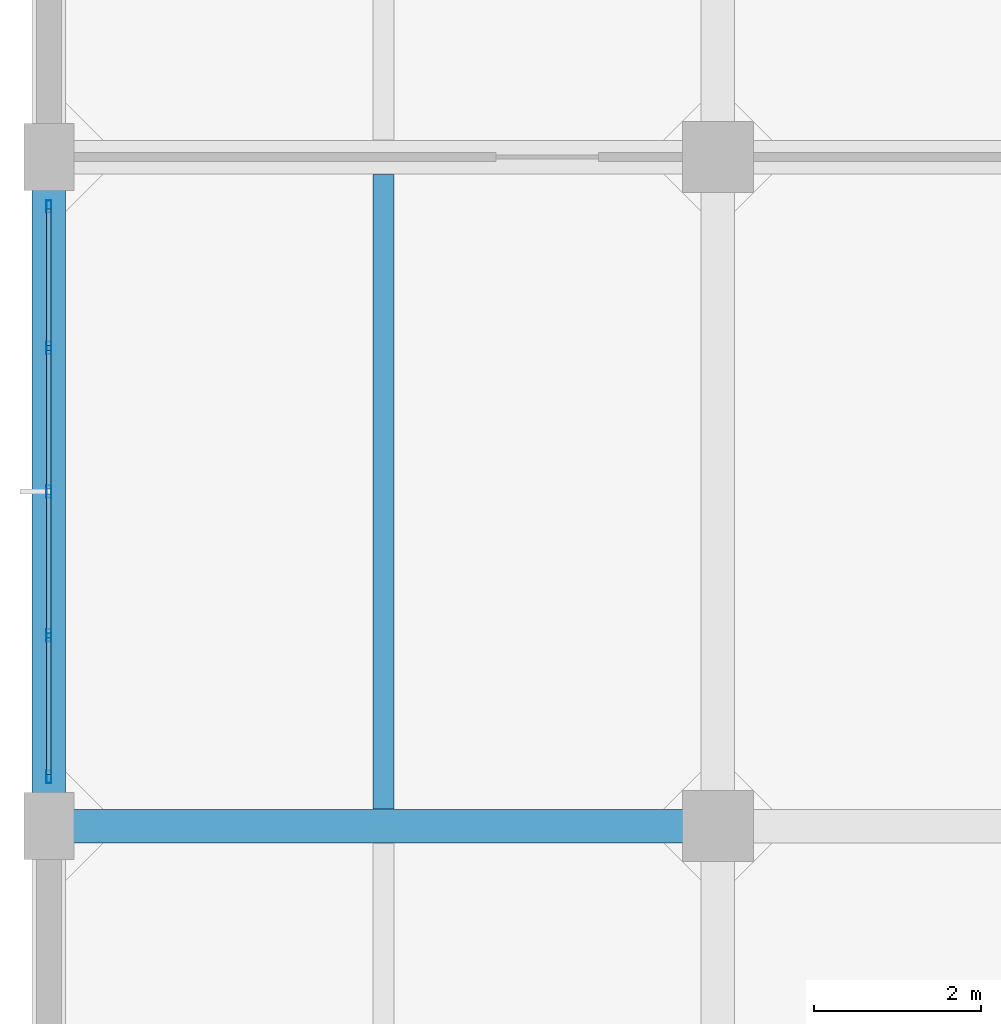
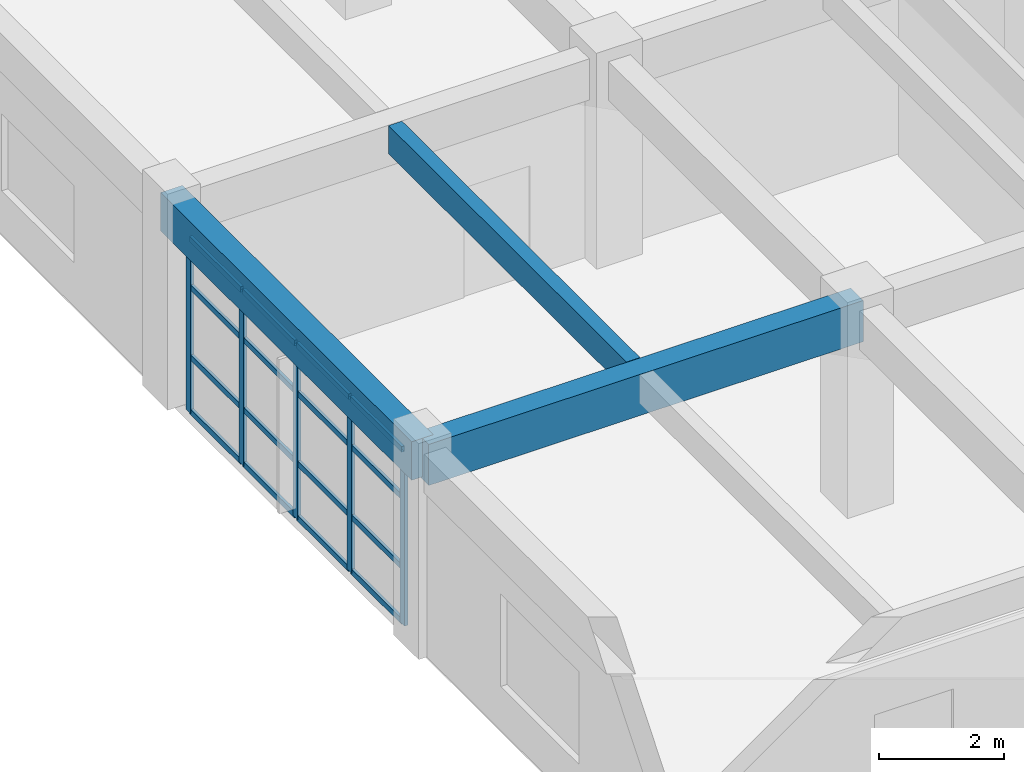
# One storey, part 7 of 27: 21 members, 3 beams, 1 element without a shape of its own.
"""IFC4 building model written with IfcOpenShell, lengths in metres."""

import ifcopenshell
import ifcopenshell.guid

model = None  # the IFC model being written
_history = None  # IfcOwnerHistory: only IFC2X3 demands one
_inside = {}  # id of a spatial element -> (the spatial element, [elements in it])
_under = {}  # id of a project, library or spatial element -> (it, [spatial elements below it])
_declared = {}  # id of a project -> (the project, [libraries it declares])
_typed = {}  # id of a type object -> (the type object, [elements of that type])
_made_of = {}  # id of a material, layer set ... -> (it, [elements and type objects made of it])


def new_model(schema):
    """Start an empty IFC model of exactly this schema.

    Asked for "IFC4X3", IfcOpenShell would pick the latest addendum, in which some entities
    have other attributes; the version numbers below select the first issue.
    IFC2X3 requires an IfcOwnerHistory on every rooted entity: one is made here for all.
    """
    global model, _history
    if schema == "IFC4X3":
        model = ifcopenshell.file(schema_version=(4, 3, 0, 0))
    else:
        model = ifcopenshell.file(schema=schema)
    _inside.clear()
    _under.clear()
    _declared.clear()
    _typed.clear()
    _made_of.clear()
    _history = None
    if model.schema == "IFC2X3":
        org = make("IfcOrganization", Name="unknown")
        user = make(
            "IfcPersonAndOrganization",
            ThePerson=make("IfcPerson", FamilyName="unknown"),
            TheOrganization=org,
        )
        app = make(
            "IfcApplication",
            ApplicationDeveloper=org,
            Version="unknown",
            ApplicationFullName="unknown",
            ApplicationIdentifier="unknown",
        )
        _history = make(
            "IfcOwnerHistory",
            OwningUser=user,
            OwningApplication=app,
            ChangeAction="ADDED",
            CreationDate=0,
        )
    return model


def make(cls, **values):
    """One entity of the class cls with the attributes given. An attribute that is None is left unset."""
    return model.create_entity(
        cls, **{name: value for name, value in values.items() if value is not None}
    )


def rooted(cls, **values):
    """An entity with a GlobalId (a new one), such as an element, a storey or a relation."""
    return make(cls, GlobalId=ifcopenshell.guid.new(), OwnerHistory=_history, **values)


def si_unit(unit_type, name, prefix=None):
    """IfcSIUnit, for example si_unit("LENGTHUNIT", "METRE", prefix="MILLI")."""
    return make("IfcSIUnit", UnitType=unit_type, Prefix=prefix, Name=name)


def assignment(units):
    """IfcUnitAssignment: the units of a project."""
    return None if units is None else make("IfcUnitAssignment", Units=units)


def point(xyz):
    """IfcCartesianPoint."""
    return None if xyz is None else make("IfcCartesianPoint", Coordinates=xyz)


def direction(xyz):
    """IfcDirection."""
    return None if xyz is None else make("IfcDirection", DirectionRatios=xyz)


def frame(location, z_axis=None, x_axis=None):
    """IfcAxis2Placement3D, a coordinate frame: its origin and axes. An axis left out is left unset."""
    return make(
        "IfcAxis2Placement3D",
        Location=point(location),
        Axis=direction(z_axis),
        RefDirection=direction(x_axis),
    )


def frame_2d(location, x_axis=None):
    """IfcAxis2Placement2D, a coordinate frame in the plane: its origin and x axis."""
    return make(
        "IfcAxis2Placement2D", Location=point(location), RefDirection=direction(x_axis)
    )


def origin():
    """The frame at (0, 0, 0) with its axes left unset."""
    return frame((0.0, 0.0, 0.0))


def origin_2d():
    """The frame at (0, 0) in the plane with its x axis left unset."""
    return frame_2d((0.0, 0.0))


def place(relative_to, where):
    """IfcLocalPlacement: puts the frame where relative to a parent placement (None: the world)."""
    return make(
        "IfcLocalPlacement", PlacementRelTo=relative_to, RelativePlacement=where
    )


def context(
    kind, dimensions, precision=None, world=None, true_north=None, identifier=None
):
    """IfcGeometricRepresentationContext, for example the 3D "Model" context."""
    return make(
        "IfcGeometricRepresentationContext",
        ContextIdentifier=identifier,
        ContextType=kind,
        CoordinateSpaceDimension=dimensions,
        Precision=precision,
        WorldCoordinateSystem=world,
        TrueNorth=true_north,
    )


def subcontext(parent, identifier, kind, view, scale=None):
    """IfcGeometricRepresentationSubContext, for example "Body" below "Model"."""
    return make(
        "IfcGeometricRepresentationSubContext",
        ContextIdentifier=identifier,
        ContextType=kind,
        ParentContext=parent,
        TargetScale=scale,
        TargetView=view,
    )


def project(units=None, contexts=None):
    """IfcProject with its units and contexts."""
    return rooted(
        "IfcProject",
        Name="project",
        RepresentationContexts=contexts,
        UnitsInContext=assignment(units),
    )


def spatial(cls, under=None, at=None, **own):
    """A site, building, storey or space (cls), placed at a placement, below another one or the project."""
    s = rooted(cls, ObjectPlacement=at, **own)
    if under is not None:
        _under.setdefault(under.id(), (under, []))[1].append(s)
    return s


def profile(cls, at=None, kind="AREA", **sizes):
    """A parametric profile (cls). Its sizes go by their IFC names, for example OverallWidth=200.0."""
    return make(cls, ProfileType=kind, Position=at, **sizes)


def rectangle(**sizes):
    """IfcRectangleProfileDef."""
    return profile("IfcRectangleProfileDef", **sizes)


def hollow_rectangle(**sizes):
    """IfcRectangleHollowProfileDef."""
    return profile("IfcRectangleHollowProfileDef", **sizes)


def extrude(swept, where, along, depth):
    """IfcExtrudedAreaSolid: the profile swept, set in the frame where, extruded along a direction by depth."""
    return make(
        "IfcExtrudedAreaSolid",
        SweptArea=swept,
        Position=where,
        ExtrudedDirection=direction(along),
        Depth=depth,
    )


def shape(context_of_items, identifier, shape_type, items):
    """IfcShapeRepresentation: the items that make up one representation, for example the "Body"."""
    return make(
        "IfcShapeRepresentation",
        ContextOfItems=context_of_items,
        RepresentationIdentifier=identifier,
        RepresentationType=shape_type,
        Items=items,
    )


def material(Name=None, Category=None):
    """IfcMaterial."""
    return make("IfcMaterial", Name=Name, Category=Category)


def layer(
    of_material, thickness, ventilated=None, Name=None, Category=None, Priority=None
):
    """IfcMaterialLayer: one layer of a wall or slab, of a material (None: an air gap)."""
    return make(
        "IfcMaterialLayer",
        Material=of_material,
        LayerThickness=thickness,
        IsVentilated=ventilated,
        Name=Name,
        Category=Category,
        Priority=Priority,
    )


def layer_set(layers, Name=None):
    """IfcMaterialLayerSet."""
    return make("IfcMaterialLayerSet", MaterialLayers=layers, LayerSetName=Name)


def material_profile(
    of_material, cross_section, Name=None, Category=None, Priority=None
):
    """IfcMaterialProfile: a cross section and its material."""
    return make(
        "IfcMaterialProfile",
        Name=Name,
        Material=of_material,
        Profile=cross_section,
        Priority=Priority,
        Category=Category,
    )


def profile_set(profiles, Name=None, composite=None):
    """IfcMaterialProfileSet."""
    return make(
        "IfcMaterialProfileSet",
        Name=Name,
        MaterialProfiles=profiles,
        CompositeProfile=composite,
    )


def made_of(thing, what):
    """Note that an element or type object is made of a material, layer set ...; save() writes the relation."""
    if what is not None:
        _made_of.setdefault(what.id(), (what, []))[1].append(thing)
    return thing


def type_object(cls, material=None, **own):
    """A type object (cls), such as IfcWallType, which elements share."""
    return made_of(rooted(cls, **own), material)


def element(
    cls,
    number,
    at=None,
    inside=None,
    cuts=None,
    type_object=None,
    material=None,
    context=None,
    identifier="Body",
    shape_type=None,
    held_by="IfcProductDefinitionShape",
    body=None,
    shapes=None,
    **own,
):
    """One element of the class cls, such as IfcWall. Its Tag is "e" and its number.

    at: its placement. inside: the storey or other place that contains it. cuts: it is an
    opening in that element (IfcRelVoidsElement). A single representation is given by context,
    identifier, shape_type and body (its items); several are given by shapes. held_by: the class
    of the entity that holds the representations. save() writes the other relations.
    """
    e = rooted(cls, Tag="e%d" % number, ObjectPlacement=at, **own)
    if body is not None:
        shapes = [shape(context, identifier, shape_type, body)]
    if shapes is not None:
        e.Representation = make(held_by, Representations=shapes)
    if inside is not None:
        _inside.setdefault(inside.id(), (inside, []))[1].append(e)
    if cuts is not None:
        rooted(
            "IfcRelVoidsElement", RelatingBuildingElement=cuts, RelatedOpeningElement=e
        )
    if type_object is not None:
        _typed.setdefault(type_object.id(), (type_object, []))[1].append(e)
    return made_of(e, material)


def aggregate(whole, parts):
    """IfcRelAggregates: a whole, such as a stair, and the parts it consists of."""
    return rooted("IfcRelAggregates", RelatingObject=whole, RelatedObjects=parts)


def save(model, path):
    """Write the relations noted so far, then the file.

    IfcRelAggregates (storeys below a building ...), IfcRelContainedInSpatialStructure (elements
    in a storey), IfcRelDefinesByType, IfcRelAssociatesMaterial and IfcRelDeclares: one each for
    every whole, place, type object, material and project.
    """
    for whole, parts in _under.values():
        aggregate(whole, parts)
    for where, things in _inside.values():
        rooted(
            "IfcRelContainedInSpatialStructure",
            RelatedElements=things,
            RelatingStructure=where,
        )
    for kind, things in _typed.values():
        rooted("IfcRelDefinesByType", RelatedObjects=things, RelatingType=kind)
    for what, things in _made_of.values():
        rooted("IfcRelAssociatesMaterial", RelatedObjects=things, RelatingMaterial=what)
    for by, libraries in _declared.values():
        rooted("IfcRelDeclares", RelatingContext=by, RelatedDefinitions=libraries)
    model.write(path)


model = new_model("IFC4")

# Units and contexts
model_context = context("Model", 3, precision=1e-05, world=origin(), true_north=direction((0.0, 1.0)))
body_context = subcontext(model_context, "Body", "Model", "MODEL_VIEW")
ifc_project = project(units=[si_unit("LENGTHUNIT", "METRE"), si_unit("AREAUNIT", "SQUARE_METRE"), si_unit("VOLUMEUNIT", "CUBIC_METRE"), si_unit("PLANEANGLEUNIT", "RADIAN"), si_unit("MASSUNIT", "GRAM", prefix="KILO")], contexts=[model_context])

# Site, building, storey
site_placement = place(None, origin())
site = spatial("IfcSite", under=ifc_project, at=site_placement, CompositionType="ELEMENT")
building_placement = place(site_placement, origin())
building = spatial("IfcBuilding", under=site, at=building_placement, Name="Canggui Botanical Conservatory", CompositionType="ELEMENT")
storey_placement = place(building_placement, frame((0.0, 0.0, 23.39990234375)))
storey = spatial("IfcBuildingStorey", under=building, at=storey_placement, Name="L06", CompositionType="ELEMENT", Elevation=23.39990234375)

# Beams
ifc_material_1 = material(Name="Concrete C35", Category="concrete")
ifc_material_profile_1 = material_profile(ifc_material_1, rectangle(XDim=0.25, YDim=0.550048828125, at=origin_2d()), Name="RB 250x550")
ifc_profile_set_1 = profile_set([ifc_material_profile_1], Name="Concrete C35")
beam_type_1 = type_object("IfcBeamType", Name="BM-JST03", PredefinedType="JOIST", material=ifc_profile_set_1)
beam_1_placement = place(storey_placement, frame((142.0, 42.205078125, 3.68505859375), z_axis=(0.0, 1.0, 0.0), x_axis=(-1.0, 0.0, 0.0)))
element("IfcBeam", 1, at=beam_1_placement, inside=storey, type_object=beam_type_1, Name="Secondary Floor Joist L06-1-2", PredefinedType="JOIST", context=body_context, shape_type="SweptSolid", body=[
    extrude(rectangle(XDim=0.25, YDim=0.550048828125, at=origin_2d()), origin(), (0.0, 0.0, 1.0), 7.58984375),
])
ifc_material_profile_2 = material_profile(ifc_material_1, rectangle(XDim=0.39990234375, YDim=0.800048828125, at=origin_2d()), Name="RB 400x800")
ifc_profile_set_2 = profile_set([ifc_material_profile_2], Name="Concrete C35")
beam_type_2 = type_object("IfcBeamType", Name="BM-KL09", PredefinedType="BEAM", material=ifc_profile_set_2)
beam_2_placement = place(storey_placement, frame((138.0, 42.0, 3.56005859375), z_axis=(1.0, 0.0, 0.0), x_axis=(0.0, 1.0, 0.0)))
element("IfcBeam", 2, at=beam_2_placement, inside=storey, type_object=beam_type_2, Name="Frame Girder L06 Y42-1", PredefinedType="BEAM", context=body_context, shape_type="SweptSolid", body=[
    extrude(rectangle(XDim=0.39990234375, YDim=0.800048828125, at=origin_2d()), origin(), (0.0, 0.0, 1.0), 8.0),
])
ifc_material_profile_3 = material_profile(ifc_material_1, rectangle(XDim=0.39990234375, YDim=0.75, at=origin_2d()), Name="RB 400x750")
ifc_profile_set_3 = profile_set([ifc_material_profile_3], Name="Concrete C35")
beam_type_3 = type_object("IfcBeamType", Name="BM-KL10", PredefinedType="BEAM", material=ifc_profile_set_3)
beam_3_placement = place(storey_placement, frame((138.0, 42.0, 3.585205078125), z_axis=(0.0, 1.0, 0.0), x_axis=(-1.0, 0.0, 0.0)))
element("IfcBeam", 3, at=beam_3_placement, inside=storey, type_object=beam_type_3, Name="Frame Girder L06 X138-2", PredefinedType="BEAM", context=body_context, shape_type="SweptSolid", body=[
    extrude(rectangle(XDim=0.39990234375, YDim=0.75, at=origin_2d()), origin(), (0.0, 0.0, 1.0), 8.0),
])

# Curtain wall, members
ifc_material_2 = material(Name="Thermally Broken Aluminium", Category="aluminium")
ifc_layer = layer(ifc_material_2, 0.14990234375, Name="Thermally Broken Aluminium", Category="aluminium")
ifc_layer_set = layer_set([ifc_layer], Name="Thermally Broken Aluminium")
curtain_wall_type = type_object("IfcCurtainWallType", Name="CW-UNIT-C", PredefinedType="USERDEFINED", material=ifc_layer_set)
curtain_wall_placement = place(storey_placement, origin())
curtain_wall = element("IfcCurtainWall", 4, at=curtain_wall_placement, inside=storey, type_object=curtain_wall_type, Name="Facade Curtain Wall CW-TWR-L06-08", ObjectType="UNITISED CURTAIN WALL", PredefinedType="USERDEFINED")
ifc_material_profile_4 = material_profile(ifc_material_2, hollow_rectangle(XDim=0.06005859375, YDim=0.14990234375, WallThickness=0.00341796875, at=origin_2d()), Name="CWM 60x150x3.5")
ifc_profile_set_4 = profile_set([ifc_material_profile_4], Name="Thermally Broken Aluminium")
member_type_1 = type_object("IfcMemberType", Name="CWM-03", PredefinedType="MULLION", material=ifc_profile_set_4)
member_1_placement = place(storey_placement, frame((138.0, 42.590087890625, 0.0), z_axis=(0.0, 0.0, 1.0), x_axis=(-1.0, 0.0, 0.0)))
member_1 = element("IfcMember", 5, at=member_1_placement, type_object=member_type_1, Name="CW-03 mullion 1", PredefinedType="MULLION", context=body_context, shape_type="SweptSolid", body=[
    extrude(hollow_rectangle(XDim=0.06005859375, YDim=0.14990234375, WallThickness=0.00341796875, at=origin_2d()), origin(), (0.0, 0.0, 1.0), 3.400146484375),
])
member_2_placement = place(storey_placement, frame((138.0, 44.280029296875, 0.0), z_axis=(0.0, 0.0, 1.0), x_axis=(-1.0, 0.0, 0.0)))
member_2 = element("IfcMember", 6, at=member_2_placement, type_object=member_type_1, Name="CW-03 mullion 2", PredefinedType="MULLION", context=body_context, shape_type="SweptSolid", body=[
    extrude(hollow_rectangle(XDim=0.06005859375, YDim=0.14990234375, WallThickness=0.00341796875, at=origin_2d()), origin(), (0.0, 0.0, 1.0), 3.400146484375),
])
member_3_placement = place(storey_placement, frame((138.0, 46.0, 0.0), z_axis=(0.0, 0.0, 1.0), x_axis=(-1.0, 0.0, 0.0)))
member_3 = element("IfcMember", 7, at=member_3_placement, type_object=member_type_1, Name="CW-03 mullion 3", PredefinedType="MULLION", context=body_context, shape_type="SweptSolid", body=[
    extrude(hollow_rectangle(XDim=0.06005859375, YDim=0.14990234375, WallThickness=0.00341796875, at=origin_2d()), origin(), (0.0, 0.0, 1.0), 3.400146484375),
])
member_4_placement = place(storey_placement, frame((138.0, 47.719970703125, 0.0), z_axis=(0.0, 0.0, 1.0), x_axis=(-1.0, 0.0, 0.0)))
member_4 = element("IfcMember", 8, at=member_4_placement, type_object=member_type_1, Name="CW-03 mullion 4", PredefinedType="MULLION", context=body_context, shape_type="SweptSolid", body=[
    extrude(hollow_rectangle(XDim=0.06005859375, YDim=0.14990234375, WallThickness=0.00341796875, at=origin_2d()), origin(), (0.0, 0.0, 1.0), 3.400146484375),
])
member_5_placement = place(storey_placement, frame((138.0, 49.409912109375, 0.0), z_axis=(0.0, 0.0, 1.0), x_axis=(-1.0, 0.0, 0.0)))
member_5 = element("IfcMember", 9, at=member_5_placement, type_object=member_type_1, Name="CW-03 mullion 5", PredefinedType="MULLION", context=body_context, shape_type="SweptSolid", body=[
    extrude(hollow_rectangle(XDim=0.06005859375, YDim=0.14990234375, WallThickness=0.00341796875, at=origin_2d()), origin(), (0.0, 0.0, 1.0), 3.400146484375),
])
ifc_material_profile_5 = material_profile(ifc_material_2, hollow_rectangle(XDim=0.054931640625, YDim=0.110107421875, WallThickness=0.0029296875, at=origin_2d()), Name="CWT 55x110x3")
ifc_profile_set_5 = profile_set([ifc_material_profile_5], Name="Thermally Broken Aluminium")
member_type_2 = type_object("IfcMemberType", Name="CWT-03", PredefinedType="USERDEFINED", material=ifc_profile_set_5)
member_6_placement = place(storey_placement, frame((138.0, 42.6201171875, 0.027587890625), z_axis=(0.0, 1.0, 0.0), x_axis=(-1.0, 0.0, 0.0)))
member_6 = element("IfcMember", 10, at=member_6_placement, type_object=member_type_2, Name="CW-03 transom 1.1", ObjectType="TRANSOM", PredefinedType="USERDEFINED", context=body_context, shape_type="SweptSolid", body=[
    extrude(hollow_rectangle(XDim=0.054931640625, YDim=0.110107421875, WallThickness=0.0029296875, at=origin_2d()), origin(), (0.0, 0.0, 1.0), 1.6298828125),
])
member_7_placement = place(storey_placement, frame((138.0, 42.6201171875, 1.088134765625), z_axis=(0.0, 1.0, 0.0), x_axis=(-1.0, 0.0, 0.0)))
member_7 = element("IfcMember", 11, at=member_7_placement, type_object=member_type_2, Name="CW-03 transom 1.2", ObjectType="TRANSOM", PredefinedType="USERDEFINED", context=body_context, shape_type="SweptSolid", body=[
    extrude(hollow_rectangle(XDim=0.054931640625, YDim=0.110107421875, WallThickness=0.0029296875, at=origin_2d()), origin(), (0.0, 0.0, 1.0), 1.6298828125),
])
member_8_placement = place(storey_placement, frame((138.0, 42.6201171875, 2.447998046875), z_axis=(0.0, 1.0, 0.0), x_axis=(-1.0, 0.0, 0.0)))
member_8 = element("IfcMember", 12, at=member_8_placement, type_object=member_type_2, Name="CW-03 transom 1.3", ObjectType="TRANSOM", PredefinedType="USERDEFINED", context=body_context, shape_type="SweptSolid", body=[
    extrude(hollow_rectangle(XDim=0.054931640625, YDim=0.110107421875, WallThickness=0.0029296875, at=origin_2d()), origin(), (0.0, 0.0, 1.0), 1.6298828125),
])
member_9_placement = place(storey_placement, frame((138.0, 42.6201171875, 3.37255859375), z_axis=(0.0, 1.0, 0.0), x_axis=(-1.0, 0.0, 0.0)))
member_9 = element("IfcMember", 13, at=member_9_placement, type_object=member_type_2, Name="CW-03 transom 1.4", ObjectType="TRANSOM", PredefinedType="USERDEFINED", context=body_context, shape_type="SweptSolid", body=[
    extrude(hollow_rectangle(XDim=0.054931640625, YDim=0.110107421875, WallThickness=0.0029296875, at=origin_2d()), origin(), (0.0, 0.0, 1.0), 1.6298828125),
])
member_10_placement = place(storey_placement, frame((138.0, 44.31005859375, 0.027587890625), z_axis=(0.0, 1.0, 0.0), x_axis=(-1.0, 0.0, 0.0)))
member_10 = element("IfcMember", 14, at=member_10_placement, type_object=member_type_2, Name="CW-03 transom 2.1", ObjectType="TRANSOM", PredefinedType="USERDEFINED", context=body_context, shape_type="SweptSolid", body=[
    extrude(hollow_rectangle(XDim=0.054931640625, YDim=0.110107421875, WallThickness=0.0029296875, at=origin_2d()), origin(), (0.0, 0.0, 1.0), 1.659912109375),
])
member_11_placement = place(storey_placement, frame((138.0, 44.31005859375, 1.088134765625), z_axis=(0.0, 1.0, 0.0), x_axis=(-1.0, 0.0, 0.0)))
member_11 = element("IfcMember", 15, at=member_11_placement, type_object=member_type_2, Name="CW-03 transom 2.2", ObjectType="TRANSOM", PredefinedType="USERDEFINED", context=body_context, shape_type="SweptSolid", body=[
    extrude(hollow_rectangle(XDim=0.054931640625, YDim=0.110107421875, WallThickness=0.0029296875, at=origin_2d()), origin(), (0.0, 0.0, 1.0), 1.659912109375),
])
member_12_placement = place(storey_placement, frame((138.0, 44.31005859375, 2.447998046875), z_axis=(0.0, 1.0, 0.0), x_axis=(-1.0, 0.0, 0.0)))
member_12 = element("IfcMember", 16, at=member_12_placement, type_object=member_type_2, Name="CW-03 transom 2.3", ObjectType="TRANSOM", PredefinedType="USERDEFINED", context=body_context, shape_type="SweptSolid", body=[
    extrude(hollow_rectangle(XDim=0.054931640625, YDim=0.110107421875, WallThickness=0.0029296875, at=origin_2d()), origin(), (0.0, 0.0, 1.0), 1.659912109375),
])
member_13_placement = place(storey_placement, frame((138.0, 44.31005859375, 3.37255859375), z_axis=(0.0, 1.0, 0.0), x_axis=(-1.0, 0.0, 0.0)))
member_13 = element("IfcMember", 17, at=member_13_placement, type_object=member_type_2, Name="CW-03 transom 2.4", ObjectType="TRANSOM", PredefinedType="USERDEFINED", context=body_context, shape_type="SweptSolid", body=[
    extrude(hollow_rectangle(XDim=0.054931640625, YDim=0.110107421875, WallThickness=0.0029296875, at=origin_2d()), origin(), (0.0, 0.0, 1.0), 1.659912109375),
])
member_14_placement = place(storey_placement, frame((138.0, 46.030029296875, 0.027587890625), z_axis=(0.0, 1.0, 0.0), x_axis=(-1.0, 0.0, 0.0)))
member_14 = element("IfcMember", 18, at=member_14_placement, type_object=member_type_2, Name="CW-03 transom 3.1", ObjectType="TRANSOM", PredefinedType="USERDEFINED", context=body_context, shape_type="SweptSolid", body=[
    extrude(hollow_rectangle(XDim=0.054931640625, YDim=0.110107421875, WallThickness=0.0029296875, at=origin_2d()), origin(), (0.0, 0.0, 1.0), 1.659912109375),
])
member_15_placement = place(storey_placement, frame((138.0, 46.030029296875, 1.088134765625), z_axis=(0.0, 1.0, 0.0), x_axis=(-1.0, 0.0, 0.0)))
member_15 = element("IfcMember", 19, at=member_15_placement, type_object=member_type_2, Name="CW-03 transom 3.2", ObjectType="TRANSOM", PredefinedType="USERDEFINED", context=body_context, shape_type="SweptSolid", body=[
    extrude(hollow_rectangle(XDim=0.054931640625, YDim=0.110107421875, WallThickness=0.0029296875, at=origin_2d()), origin(), (0.0, 0.0, 1.0), 1.659912109375),
])
member_16_placement = place(storey_placement, frame((138.0, 46.030029296875, 2.447998046875), z_axis=(0.0, 1.0, 0.0), x_axis=(-1.0, 0.0, 0.0)))
member_16 = element("IfcMember", 20, at=member_16_placement, type_object=member_type_2, Name="CW-03 transom 3.3", ObjectType="TRANSOM", PredefinedType="USERDEFINED", context=body_context, shape_type="SweptSolid", body=[
    extrude(hollow_rectangle(XDim=0.054931640625, YDim=0.110107421875, WallThickness=0.0029296875, at=origin_2d()), origin(), (0.0, 0.0, 1.0), 1.659912109375),
])
member_17_placement = place(storey_placement, frame((138.0, 46.030029296875, 3.37255859375), z_axis=(0.0, 1.0, 0.0), x_axis=(-1.0, 0.0, 0.0)))
member_17 = element("IfcMember", 21, at=member_17_placement, type_object=member_type_2, Name="CW-03 transom 3.4", ObjectType="TRANSOM", PredefinedType="USERDEFINED", context=body_context, shape_type="SweptSolid", body=[
    extrude(hollow_rectangle(XDim=0.054931640625, YDim=0.110107421875, WallThickness=0.0029296875, at=origin_2d()), origin(), (0.0, 0.0, 1.0), 1.659912109375),
])
member_18_placement = place(storey_placement, frame((138.0, 47.75, 0.027587890625), z_axis=(0.0, 1.0, 0.0), x_axis=(-1.0, 0.0, 0.0)))
member_18 = element("IfcMember", 22, at=member_18_placement, type_object=member_type_2, Name="CW-03 transom 4.1", ObjectType="TRANSOM", PredefinedType="USERDEFINED", context=body_context, shape_type="SweptSolid", body=[
    extrude(hollow_rectangle(XDim=0.054931640625, YDim=0.110107421875, WallThickness=0.0029296875, at=origin_2d()), origin(), (0.0, 0.0, 1.0), 1.6298828125),
])
member_19_placement = place(storey_placement, frame((138.0, 47.75, 1.088134765625), z_axis=(0.0, 1.0, 0.0), x_axis=(-1.0, 0.0, 0.0)))
member_19 = element("IfcMember", 23, at=member_19_placement, type_object=member_type_2, Name="CW-03 transom 4.2", ObjectType="TRANSOM", PredefinedType="USERDEFINED", context=body_context, shape_type="SweptSolid", body=[
    extrude(hollow_rectangle(XDim=0.054931640625, YDim=0.110107421875, WallThickness=0.0029296875, at=origin_2d()), origin(), (0.0, 0.0, 1.0), 1.6298828125),
])
member_20_placement = place(storey_placement, frame((138.0, 47.75, 2.447998046875), z_axis=(0.0, 1.0, 0.0), x_axis=(-1.0, 0.0, 0.0)))
member_20 = element("IfcMember", 24, at=member_20_placement, type_object=member_type_2, Name="CW-03 transom 4.3", ObjectType="TRANSOM", PredefinedType="USERDEFINED", context=body_context, shape_type="SweptSolid", body=[
    extrude(hollow_rectangle(XDim=0.054931640625, YDim=0.110107421875, WallThickness=0.0029296875, at=origin_2d()), origin(), (0.0, 0.0, 1.0), 1.6298828125),
])
member_21_placement = place(storey_placement, frame((138.0, 47.75, 3.37255859375), z_axis=(0.0, 1.0, 0.0), x_axis=(-1.0, 0.0, 0.0)))
member_21 = element("IfcMember", 25, at=member_21_placement, type_object=member_type_2, Name="CW-03 transom 4.4", ObjectType="TRANSOM", PredefinedType="USERDEFINED", context=body_context, shape_type="SweptSolid", body=[
    extrude(hollow_rectangle(XDim=0.054931640625, YDim=0.110107421875, WallThickness=0.0029296875, at=origin_2d()), origin(), (0.0, 0.0, 1.0), 1.6298828125),
])
aggregate(curtain_wall, [member_1, member_2, member_3, member_4, member_5, member_6, member_7, member_8, member_9, member_10, member_11, member_12, member_13, member_14, member_15, member_16, member_17, member_18, member_19, member_20, member_21])

save(model, "model.ifc")
